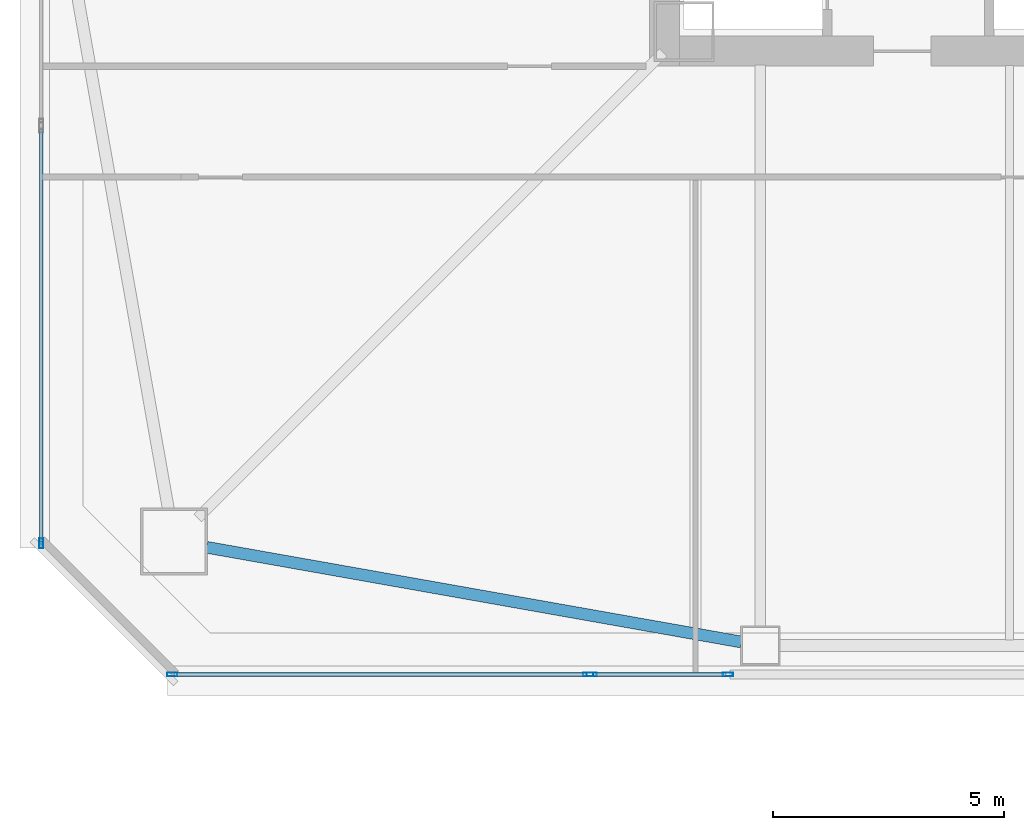
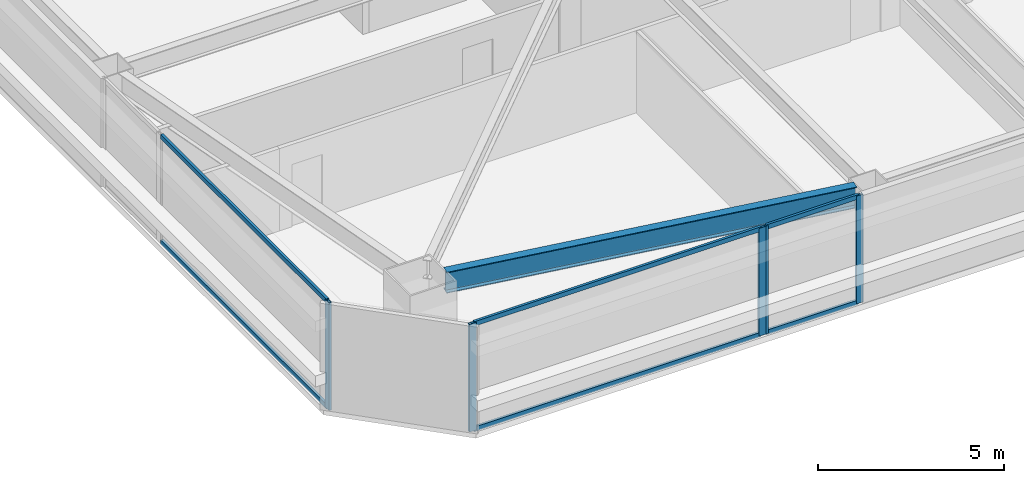
# One storey, part 3 of 44: 11 members, 1 beam, 3 elements without a shape of their own.
"""IFC4 building model written with IfcOpenShell, lengths in metres."""

from ifc_helpers import new_model, si_unit, direction, frame, origin, origin_2d, place, context, subcontext, project, spatial, hollow_rectangle, i_section, extrude, material, material_profile, profile_set, type_object, element, aggregate, save


model = new_model("IFC4")

# Units and contexts
model_context = context("Model", 3, precision=1e-05, world=origin(), true_north=direction((0.0, 1.0)))
body_context = subcontext(model_context, "Body", "Model", "MODEL_VIEW")
ifc_project = project(units=[si_unit("LENGTHUNIT", "METRE"), si_unit("AREAUNIT", "SQUARE_METRE"), si_unit("VOLUMEUNIT", "CUBIC_METRE"), si_unit("PLANEANGLEUNIT", "RADIAN"), si_unit("MASSUNIT", "GRAM", prefix="KILO")], contexts=[model_context])

# Site, building, storey
site_placement = place(None, origin())
site = spatial("IfcSite", under=ifc_project, at=site_placement, CompositionType="ELEMENT")
building_placement = place(site_placement, origin())
building = spatial("IfcBuilding", under=site, at=building_placement, Name="Tashvorn Skyway Center", CompositionType="ELEMENT")
storey_placement = place(building_placement, frame((0.0, 0.0, 102.699951171875)))
storey = spatial("IfcBuildingStorey", under=building, at=storey_placement, Name="L27", CompositionType="ELEMENT", Elevation=102.699951171875)

# Beam
ifc_material_1 = material(Name="Steel ASTM A992 Grade 50", Category="steel")
ifc_material_profile_1 = material_profile(ifc_material_1, i_section(OverallWidth=0.256103515625, OverallDepth=0.693115234375, WebThickness=0.014404296875, FlangeThickness=0.023681640625, at=origin_2d()), Name="W27X114")
ifc_profile_set_1 = profile_set([ifc_material_profile_1], Name="Steel ASTM A992 Grade 50")
beam_type = type_object("IfcBeamType", Name="BM-SPANDREL-W27X114", PredefinedType="SPANDREL", material=ifc_profile_set_1)
beam_placement = place(storey_placement, frame((24.60888671875, 13.7744140625, 3.003662109375), z_axis=(0.98466816531, -0.174437966698, 0.0), x_axis=(0.174437966698, 0.98466816531, 0.0)))
element("IfcBeam", 1, at=beam_placement, inside=storey, type_object=beam_type, Name="Tower 1 L27 Spandrel Beam 01", PredefinedType="SPANDREL", context=body_context, shape_type="SweptSolid", body=[
    extrude(i_section(OverallWidth=0.256103515625, OverallDepth=0.693115234375, WebThickness=0.014404296875, FlangeThickness=0.023681640625, at=origin_2d()), origin(), (0.0, 0.0, 1.0), 11.7578125),
])

# Curtain wall, members
ifc_material_2 = material(Name="Thermally broken bronze-anodized aluminium 6063-T6", Category="aluminium")
curtain_wall_type = type_object("IfcCurtainWallType", Name="CW-CW-Z2", PredefinedType="NOTDEFINED", material=ifc_material_2)
curtain_wall_1_placement = place(storey_placement, origin())
curtain_wall_1 = element("IfcCurtainWall", 2, at=curtain_wall_1_placement, inside=storey, type_object=curtain_wall_type, Name="Tower 1 L27 South Unitised Curtain Wall Glazing Group 3", PredefinedType="NOTDEFINED")
ifc_material_profile_2 = material_profile(ifc_material_2, hollow_rectangle(XDim=0.080078125, YDim=0.219970703125, WallThickness=0.0048828125, at=origin_2d()), Name="ALU-MULL-80x220")
ifc_profile_set_2 = profile_set([ifc_material_profile_2], Name="Thermally broken bronze-anodized aluminium 6063-T6")
member_type_1 = type_object("IfcMemberType", Name="CWM-CW-Z2", PredefinedType="MULLION", material=ifc_profile_set_2)
member_1_placement = place(storey_placement, frame((35.89990234375, 11.02001953125, 0.0), z_axis=(0.0, 0.0, 1.0), x_axis=(0.0, -1.0, 0.0)))
member_1 = element("IfcMember", 3, at=member_1_placement, type_object=member_type_1, Name="CW-Z2 mullion 1", PredefinedType="MULLION", context=body_context, shape_type="SweptSolid", body=[
    extrude(hollow_rectangle(XDim=0.080078125, YDim=0.219970703125, WallThickness=0.0048828125, at=origin_2d()), origin(), (0.0, 0.0, 1.0), 3.550048828125),
])
member_2_placement = place(storey_placement, frame((32.949951171875, 11.02001953125, 0.0), z_axis=(0.0, 0.0, 1.0), x_axis=(0.0, -1.0, 0.0)))
member_2 = element("IfcMember", 4, at=member_2_placement, type_object=member_type_1, Name="CW-Z2 mullion 2", PredefinedType="MULLION", context=body_context, shape_type="SweptSolid", body=[
    extrude(hollow_rectangle(XDim=0.080078125, YDim=0.219970703125, WallThickness=0.0048828125, at=origin_2d()), origin(), (0.0, 0.0, 1.0), 3.550048828125),
])

curtain_wall_2_placement = place(storey_placement, origin())
curtain_wall_2 = element("IfcCurtainWall", 5, at=curtain_wall_2_placement, inside=storey, type_object=curtain_wall_type, Name="Tower 1 L27 South Unitised Curtain Wall Glazing Group 4", PredefinedType="NOTDEFINED")
member_3_placement = place(storey_placement, frame((32.8701171875, 11.02001953125, 0.0), z_axis=(0.0, 0.0, 1.0), x_axis=(0.0, -1.0, 0.0)))
member_3 = element("IfcMember", 6, at=member_3_placement, type_object=member_type_1, Name="CW-Z2 mullion 1", PredefinedType="MULLION", context=body_context, shape_type="SweptSolid", body=[
    extrude(hollow_rectangle(XDim=0.080078125, YDim=0.219970703125, WallThickness=0.0048828125, at=origin_2d()), origin(), (0.0, 0.0, 1.0), 3.550048828125),
])
member_4_placement = place(storey_placement, frame((23.860107421875, 11.02001953125, 0.0), z_axis=(0.0, 0.0, 1.0), x_axis=(0.0, -1.0, 0.0)))
member_4 = element("IfcMember", 7, at=member_4_placement, type_object=member_type_1, Name="CW-Z2 mullion 2", PredefinedType="MULLION", context=body_context, shape_type="SweptSolid", body=[
    extrude(hollow_rectangle(XDim=0.080078125, YDim=0.219970703125, WallThickness=0.0048828125, at=origin_2d()), origin(), (0.0, 0.0, 1.0), 3.550048828125),
])

# Curtain wall, member
curtain_wall_3_placement = place(storey_placement, origin())
curtain_wall_3 = element("IfcCurtainWall", 8, at=curtain_wall_3_placement, inside=storey, type_object=curtain_wall_type, Name="Tower 1 L27 West Unitised Curtain Wall Glazing Group 1", PredefinedType="NOTDEFINED")
member_5_placement = place(storey_placement, frame((21.02001953125, 13.860107421875, 0.0), z_axis=(0.0, 0.0, 1.0), x_axis=(-1.0, 0.0, 0.0)))
member_5 = element("IfcMember", 9, at=member_5_placement, type_object=member_type_1, Name="CW-Z2 mullion 1", PredefinedType="MULLION", context=body_context, shape_type="SweptSolid", body=[
    extrude(hollow_rectangle(XDim=0.080078125, YDim=0.219970703125, WallThickness=0.0048828125, at=origin_2d()), origin(), (0.0, 0.0, 1.0), 3.550048828125),
])

# Member
ifc_material_profile_3 = material_profile(ifc_material_2, hollow_rectangle(XDim=0.080078125, YDim=0.14990234375, WallThickness=0.00439453125, at=origin_2d()), Name="ALU-TRAN-80x150")
ifc_profile_set_3 = profile_set([ifc_material_profile_3], Name="Thermally broken bronze-anodized aluminium 6063-T6")
member_type_2 = type_object("IfcMemberType", Name="CWT-CW-Z2", PredefinedType="USERDEFINED", material=ifc_profile_set_3)
member_6_placement = place(storey_placement, frame((35.860107421875, 11.02001953125, 0.0400390625), z_axis=(-1.0, 0.0, 0.0), x_axis=(0.0, -1.0, 0.0)))
member_6 = element("IfcMember", 10, at=member_6_placement, type_object=member_type_2, Name="CW-Z2 transom 1.1", ObjectType="TRANSOM", PredefinedType="USERDEFINED", context=body_context, shape_type="SweptSolid", body=[
    extrude(hollow_rectangle(XDim=0.080078125, YDim=0.14990234375, WallThickness=0.00439453125, at=origin_2d()), origin(), (0.0, 0.0, 1.0), 2.8701171875),
])

member_7_placement = place(storey_placement, frame((35.860107421875, 11.02001953125, 3.510009765625), z_axis=(-1.0, 0.0, 0.0), x_axis=(0.0, -1.0, 0.0)))
member_7 = element("IfcMember", 11, at=member_7_placement, type_object=member_type_2, Name="CW-Z2 transom 1.2", ObjectType="TRANSOM", PredefinedType="USERDEFINED", context=body_context, shape_type="SweptSolid", body=[
    extrude(hollow_rectangle(XDim=0.080078125, YDim=0.14990234375, WallThickness=0.00439453125, at=origin_2d()), origin(), (0.0, 0.0, 1.0), 2.8701171875),
])

aggregate(curtain_wall_1, [member_1, member_2, member_6, member_7])

member_8_placement = place(storey_placement, frame((32.830078125, 11.02001953125, 0.0400390625), z_axis=(-1.0, 0.0, 0.0), x_axis=(0.0, -1.0, 0.0)))
member_8 = element("IfcMember", 12, at=member_8_placement, type_object=member_type_2, Name="CW-Z2 transom 1.1", ObjectType="TRANSOM", PredefinedType="USERDEFINED", context=body_context, shape_type="SweptSolid", body=[
    extrude(hollow_rectangle(XDim=0.080078125, YDim=0.14990234375, WallThickness=0.00439453125, at=origin_2d()), origin(), (0.0, 0.0, 1.0), 8.93017578125),
])

member_9_placement = place(storey_placement, frame((32.830078125, 11.02001953125, 3.510009765625), z_axis=(-1.0, 0.0, 0.0), x_axis=(0.0, -1.0, 0.0)))
member_9 = element("IfcMember", 13, at=member_9_placement, type_object=member_type_2, Name="CW-Z2 transom 1.2", ObjectType="TRANSOM", PredefinedType="USERDEFINED", context=body_context, shape_type="SweptSolid", body=[
    extrude(hollow_rectangle(XDim=0.080078125, YDim=0.14990234375, WallThickness=0.00439453125, at=origin_2d()), origin(), (0.0, 0.0, 1.0), 8.93017578125),
])

aggregate(curtain_wall_2, [member_3, member_4, member_8, member_9])

member_10_placement = place(storey_placement, frame((21.02001953125, 13.89990234375, 0.0400390625), z_axis=(0.0, 1.0, 0.0), x_axis=(-1.0, 0.0, 0.0)))
member_10 = element("IfcMember", 14, at=member_10_placement, type_object=member_type_2, Name="CW-Z2 transom 1.1", ObjectType="TRANSOM", PredefinedType="USERDEFINED", context=body_context, shape_type="SweptSolid", body=[
    extrude(hollow_rectangle(XDim=0.080078125, YDim=0.14990234375, WallThickness=0.00439453125, at=origin_2d()), origin(), (0.0, 0.0, 1.0), 8.93017578125),
])

member_11_placement = place(storey_placement, frame((21.02001953125, 13.89990234375, 3.510009765625), z_axis=(0.0, 1.0, 0.0), x_axis=(-1.0, 0.0, 0.0)))
member_11 = element("IfcMember", 15, at=member_11_placement, type_object=member_type_2, Name="CW-Z2 transom 1.2", ObjectType="TRANSOM", PredefinedType="USERDEFINED", context=body_context, shape_type="SweptSolid", body=[
    extrude(hollow_rectangle(XDim=0.080078125, YDim=0.14990234375, WallThickness=0.00439453125, at=origin_2d()), origin(), (0.0, 0.0, 1.0), 8.93017578125),
])

aggregate(curtain_wall_3, [member_5, member_10, member_11])

save(model, "model.ifc")
